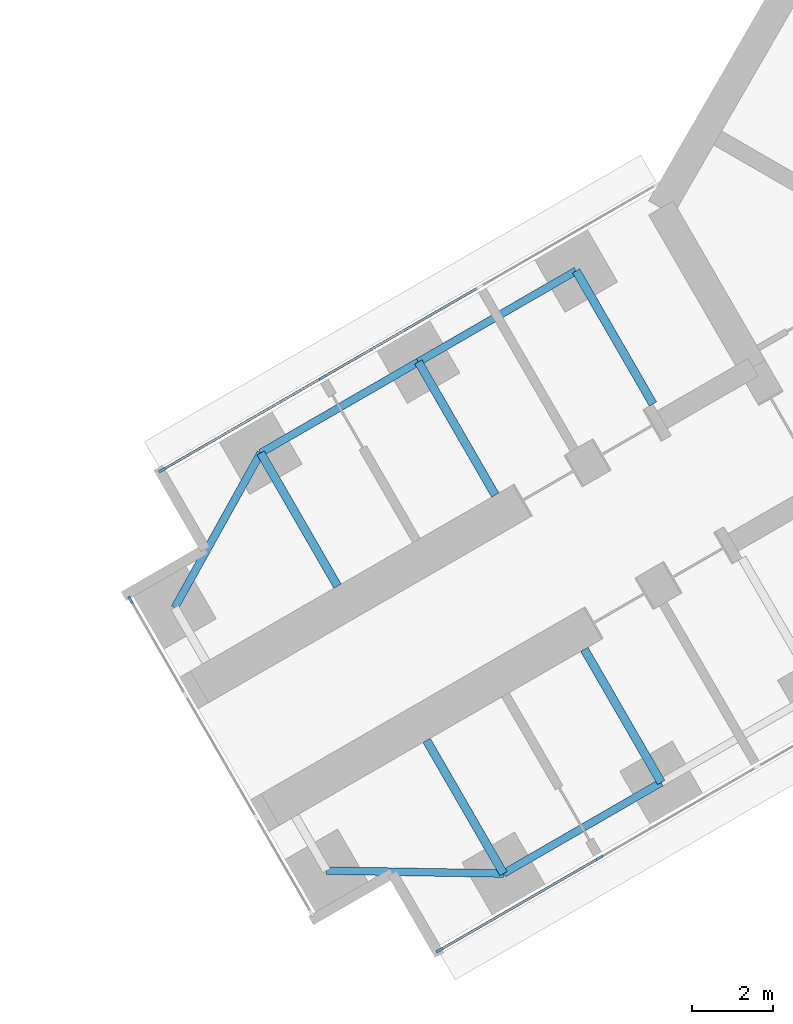
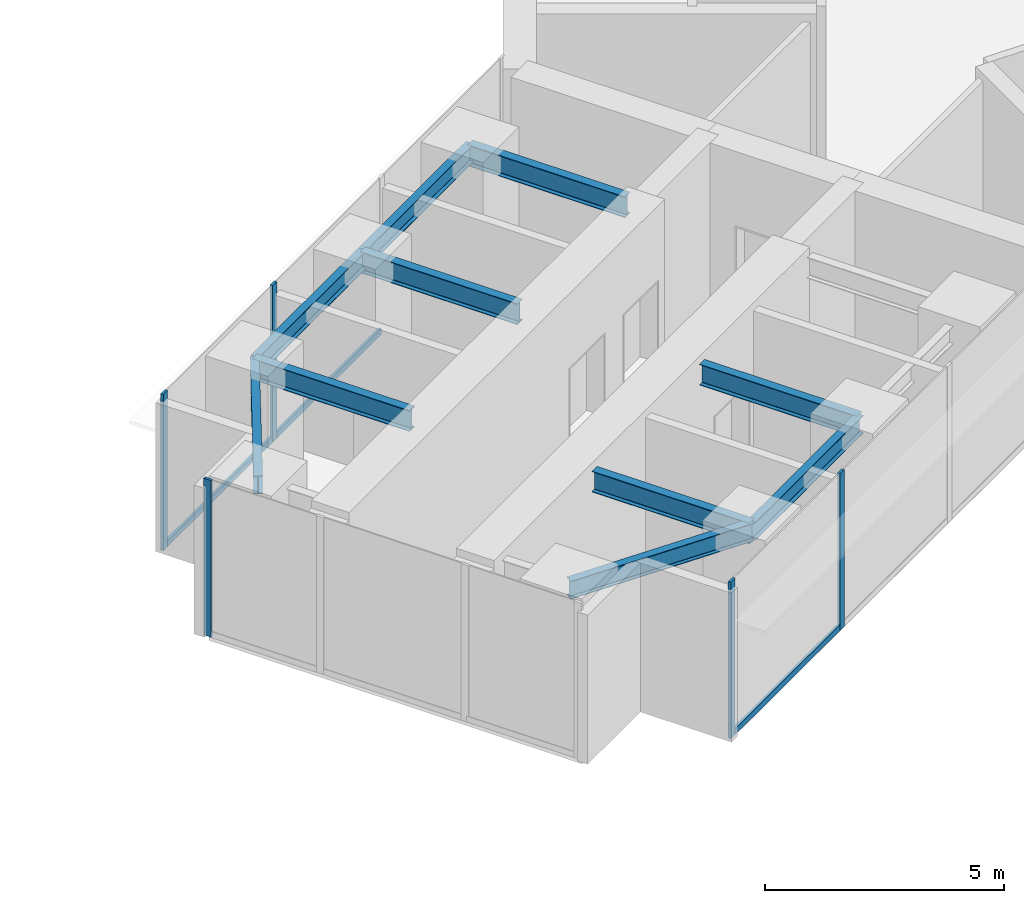
# One storey, part 4 of 22: 10 beams, 8 members, 3 elements without a shape of their own.
"""IFC4 building model written with IfcOpenShell, lengths in metres."""

from ifc_helpers import new_model, si_unit, direction, frame, origin, origin_2d, place, context, subcontext, project, spatial, rectangle, i_section, extrude, material, material_profile, profile_set, type_object, element, aggregate, save


model = new_model("IFC4")

# Units and contexts
model_context = context("Model", 3, precision=1e-05, world=origin(), true_north=direction((0.0, 1.0)))
body_context = subcontext(model_context, "Body", "Model", "MODEL_VIEW")
ifc_project = project(units=[si_unit("LENGTHUNIT", "METRE"), si_unit("AREAUNIT", "SQUARE_METRE"), si_unit("VOLUMEUNIT", "CUBIC_METRE"), si_unit("PLANEANGLEUNIT", "RADIAN"), si_unit("MASSUNIT", "GRAM", prefix="KILO")], contexts=[model_context])

# Site, building, storey
site_placement = place(None, origin())
site = spatial("IfcSite", under=ifc_project, at=site_placement, CompositionType="ELEMENT")
building_placement = place(site_placement, origin())
building = spatial("IfcBuilding", under=site, at=building_placement, Name="Upepo Twin Towers", CompositionType="ELEMENT")
storey_placement = place(building_placement, frame((0.0, 0.0, 40.5)))
storey = spatial("IfcBuildingStorey", under=building, at=storey_placement, Name="L09", CompositionType="ELEMENT", Elevation=40.5)

# Beams
ifc_material_1 = material(Name="Steel S355", Category="steel")
ifc_material_profile_1 = material_profile(ifc_material_1, i_section(OverallWidth=0.1904296875, OverallDepth=0.45703125, WebThickness=0.009033203125, FlangeThickness=0.014404296875, FilletRadius=0.01025390625, at=origin_2d()), Name="UB 457x191x74")
ifc_profile_set_1 = profile_set([ifc_material_profile_1], Name="Steel S355")
beam_type_1 = type_object("IfcBeamType", Name="Beam UB 457x191x74", PredefinedType="BEAM", material=ifc_profile_set_1)
beam_1_placement = place(storey_placement, frame((45.91162109375, -32.196044921875, 3.571533203125), z_axis=(-0.866031096941, -0.499990139034, 0.0), x_axis=(0.499990139034, -0.866031096941, 0.0)))
element("IfcBeam", 1, at=beam_1_placement, inside=storey, type_object=beam_type_1, Name="T2 edge beam BL 18.0-22.5", PredefinedType="BEAM", context=body_context, shape_type="SweptSolid", body=[
    extrude(i_section(OverallWidth=0.1904296875, OverallDepth=0.45703125, WebThickness=0.009033203125, FlangeThickness=0.014404296875, FilletRadius=0.01025390625, at=origin_2d()), origin(), (0.0, 0.0, 1.0), 4.5),
])
beam_2_placement = place(storey_placement, frame((42.014404296875, -34.446044921875, 3.571533203125), z_axis=(-0.999858804832, 0.016803880528, 0.0), x_axis=(-0.016803880528, -0.999858804832, 0.0)))
element("IfcBeam", 2, at=beam_2_placement, inside=storey, type_object=beam_type_1, Name="T2 nose edge beam BL", PredefinedType="BEAM", context=body_context, shape_type="SweptSolid", body=[
    extrude(i_section(OverallWidth=0.1904296875, OverallDepth=0.45703125, WebThickness=0.009033203125, FlangeThickness=0.014404296875, FilletRadius=0.01025390625, at=origin_2d()), origin(), (0.0, 0.0, 1.0), 4.373291015625),
])
beam_3_placement = place(storey_placement, frame((43.80859375, -19.553955078125, 3.571533203125), z_axis=(-0.866017533419, -0.500013631625, 0.0), x_axis=(0.500013631625, -0.866017533419, 0.0)))
element("IfcBeam", 3, at=beam_3_placement, inside=storey, type_object=beam_type_1, Name="T2 edge beam BR 13.5-18.0", PredefinedType="BEAM", context=body_context, shape_type="SweptSolid", body=[
    extrude(i_section(OverallWidth=0.1904296875, OverallDepth=0.45703125, WebThickness=0.009033203125, FlangeThickness=0.014404296875, FilletRadius=0.01025390625, at=origin_2d()), origin(), (0.0, 0.0, 1.0), 4.499755859375),
])
beam_4_placement = place(storey_placement, frame((39.91162109375, -21.803955078125, 3.571533203125), z_axis=(-0.866031096941, -0.499990139034, 0.0), x_axis=(0.499990139034, -0.866031096941, 0.0)))
element("IfcBeam", 4, at=beam_4_placement, inside=storey, type_object=beam_type_1, Name="T2 edge beam BR 18.0-22.5", PredefinedType="BEAM", context=body_context, shape_type="SweptSolid", body=[
    extrude(i_section(OverallWidth=0.1904296875, OverallDepth=0.45703125, WebThickness=0.009033203125, FlangeThickness=0.014404296875, FilletRadius=0.01025390625, at=origin_2d()), origin(), (0.0, 0.0, 1.0), 4.5),
])
beam_5_placement = place(storey_placement, frame((36.014404296875, -24.053955078125, 3.571533203125), z_axis=(-0.485363242752, -0.874312600038, 0.0), x_axis=(0.874312600038, -0.485363242752, 0.0)))
element("IfcBeam", 5, at=beam_5_placement, inside=storey, type_object=beam_type_1, Name="T2 nose edge beam BR", PredefinedType="BEAM", context=body_context, shape_type="SweptSolid", body=[
    extrude(i_section(OverallWidth=0.1904296875, OverallDepth=0.45703125, WebThickness=0.009033203125, FlangeThickness=0.014404296875, FilletRadius=0.01025390625, at=origin_2d()), origin(), (0.0, 0.0, 1.0), 4.373046875),
])
ifc_material_2 = material(Name="Steel S355", Category="steel")
ifc_material_profile_2 = material_profile(ifc_material_2, i_section(OverallWidth=0.209228515625, OverallDepth=0.533203125, WebThickness=0.010009765625, FlangeThickness=0.015625, FilletRadius=0.0126953125, at=origin_2d()), Name="UB 533x210x92")
ifc_profile_set_2 = profile_set([ifc_material_profile_2], Name="Steel S355")
beam_type_2 = type_object("IfcBeamType", Name="Beam UB 533x210x92", PredefinedType="BEAM", material=ifc_profile_set_2)
beam_6_placement = place(storey_placement, frame((45.91162109375, -32.196044921875, 3.533447265625), z_axis=(-0.500043160704, 0.866000483506, 0.0), x_axis=(-0.866000483506, -0.500043160704, 0.0)))
element("IfcBeam", 6, at=beam_6_placement, inside=storey, type_object=beam_type_2, Name="T2 girder BL at 18.0", PredefinedType="BEAM", context=body_context, shape_type="SweptSolid", body=[
    extrude(i_section(OverallWidth=0.209228515625, OverallDepth=0.533203125, WebThickness=0.010009765625, FlangeThickness=0.015625, FilletRadius=0.0126953125, at=origin_2d()), origin(), (0.0, 0.0, 1.0), 3.800048828125),
])
beam_7_placement = place(storey_placement, frame((42.014404296875, -34.446044921875, 3.533447265625), z_axis=(-0.499994975061, 0.866028304915, 0.0), x_axis=(-0.866028304915, -0.499994975061, 0.0)))
element("IfcBeam", 7, at=beam_7_placement, inside=storey, type_object=beam_type_2, Name="T2 girder BL at 22.5", PredefinedType="BEAM", context=body_context, shape_type="SweptSolid", body=[
    extrude(i_section(OverallWidth=0.209228515625, OverallDepth=0.533203125, WebThickness=0.010009765625, FlangeThickness=0.015625, FilletRadius=0.0126953125, at=origin_2d()), origin(), (0.0, 0.0, 1.0), 3.7998046875),
])
beam_8_placement = place(storey_placement, frame((43.80859375, -19.553955078125, 3.533447265625), z_axis=(0.500043160704, -0.866000483506, 0.0), x_axis=(0.866000483506, 0.500043160704, 0.0)))
element("IfcBeam", 8, at=beam_8_placement, inside=storey, type_object=beam_type_2, Name="T2 girder BR at 13.5", PredefinedType="BEAM", context=body_context, shape_type="SweptSolid", body=[
    extrude(i_section(OverallWidth=0.209228515625, OverallDepth=0.533203125, WebThickness=0.010009765625, FlangeThickness=0.015625, FilletRadius=0.0126953125, at=origin_2d()), origin(), (0.0, 0.0, 1.0), 3.800048828125),
])
for number, where, z_axis, x_axis, name in (
    (9, (39.91162109375, -21.803955078125, 3.533447265625), (0.499994975061, -0.866028304915, 0.0), (0.866028304915, 0.499994975061, 0.0), "T2 girder BR at 18.0"),
    (10, (36.014404296875, -24.053955078125, 3.533447265625), (0.499994975061, -0.866028304915, 0.0), (0.866028304915, 0.499994975061, 0.0), "T2 girder BR at 22.5"),
):
    element("IfcBeam", number, at=place(storey_placement, frame(where, z_axis=z_axis, x_axis=x_axis)), inside=storey, type_object=beam_type_2, Name=name, PredefinedType="BEAM", context=body_context, shape_type="SweptSolid", body=[
        extrude(i_section(OverallWidth=0.209228515625, OverallDepth=0.533203125, WebThickness=0.010009765625, FlangeThickness=0.015625, FilletRadius=0.0126953125, at=origin_2d()), origin(), (0.0, 0.0, 1.0), 3.7998046875),
    ])

# Curtain wall, members
ifc_material_3 = material(Name="Aluminium and fritted glass", Category="aluminium")
curtain_wall_type = type_object("IfcCurtainWallType", Name="Tower curtain wall TW1, fritted glass", PredefinedType="NOTDEFINED", material=ifc_material_3)
curtain_wall_1_placement = place(storey_placement, origin())
curtain_wall_1 = element("IfcCurtainWall", 11, at=curtain_wall_1_placement, inside=storey, type_object=curtain_wall_type, Name="T2 L09 wing B flank L curtain wall", PredefinedType="NOTDEFINED")
ifc_material_4 = material(Name="Aluminium mullion", Category="aluminium")
ifc_material_profile_3 = material_profile(ifc_material_4, rectangle(XDim=0.06494140625, YDim=0.179931640625, at=origin_2d()), Name="MULLION 65x180")
ifc_profile_set_3 = profile_set([ifc_material_profile_3], Name="Aluminium mullion")
member_type_1 = type_object("IfcMemberType", Name="Mullion 65x180 TW1", PredefinedType="MULLION", material=ifc_profile_set_3)
member_1_placement = place(storey_placement, frame((44.387939453125, -34.057373046875, 0.0), z_axis=(0.0, 0.0, 1.0), x_axis=(0.500000024426, -0.866025389682, 0.0)))
member_1 = element("IfcMember", 12, at=member_1_placement, type_object=member_type_1, Name="T2 L09 wing B flank L curtain wall mullion 3", PredefinedType="MULLION", context=body_context, shape_type="SweptSolid", body=[
    extrude(rectangle(XDim=0.06494140625, YDim=0.179931640625, at=origin_2d()), origin(), (0.0, 0.0, 1.0), 4.0),
])
member_2_placement = place(storey_placement, frame((40.432373046875, -36.341064453125, 0.0), z_axis=(0.0, 0.0, 1.0), x_axis=(0.500000024426, -0.866025389682, 0.0)))
member_2 = element("IfcMember", 13, at=member_2_placement, type_object=member_type_1, Name="T2 L09 wing B flank L curtain wall mullion 4", PredefinedType="MULLION", context=body_context, shape_type="SweptSolid", body=[
    extrude(rectangle(XDim=0.06494140625, YDim=0.179931640625, at=origin_2d()), origin(), (0.0, 0.0, 1.0), 4.0),
])

curtain_wall_2_placement = place(storey_placement, origin())
curtain_wall_2 = element("IfcCurtainWall", 14, at=curtain_wall_2_placement, inside=storey, type_object=curtain_wall_type, Name="T2 L09 wing B flank R curtain wall", PredefinedType="NOTDEFINED")
member_3_placement = place(storey_placement, frame((33.58251953125, -24.4765625, 0.0), z_axis=(0.0, 0.0, 1.0), x_axis=(-0.500000024426, 0.866025389682, 0.0)))
member_3 = element("IfcMember", 15, at=member_3_placement, type_object=member_type_1, Name="T2 L09 wing B flank R curtain wall mullion 1", PredefinedType="MULLION", context=body_context, shape_type="SweptSolid", body=[
    extrude(rectangle(XDim=0.06494140625, YDim=0.179931640625, at=origin_2d()), origin(), (0.0, 0.0, 1.0), 4.0),
])
member_4_placement = place(storey_placement, frame((37.5380859375, -22.192626953125, 0.0), z_axis=(0.0, 0.0, 1.0), x_axis=(-0.500000024426, 0.866025389682, 0.0)))
member_4 = element("IfcMember", 16, at=member_4_placement, type_object=member_type_1, Name="T2 L09 wing B flank R curtain wall mullion 2", PredefinedType="MULLION", context=body_context, shape_type="SweptSolid", body=[
    extrude(rectangle(XDim=0.06494140625, YDim=0.179931640625, at=origin_2d()), origin(), (0.0, 0.0, 1.0), 4.0),
])

# Curtain wall, member
curtain_wall_3_placement = place(storey_placement, origin())
curtain_wall_3 = element("IfcCurtainWall", 17, at=curtain_wall_3_placement, inside=storey, type_object=curtain_wall_type, Name="T2 L09 wing B nose curtain wall", PredefinedType="NOTDEFINED")
member_5_placement = place(storey_placement, frame((32.796875, -27.68115234375, 0.0), z_axis=(0.0, 0.0, 1.0), x_axis=(0.866025386174, 0.500000030502, 0.0)))
member_5 = element("IfcMember", 18, at=member_5_placement, type_object=member_type_1, Name="T2 L09 wing B nose curtain wall mullion 1", PredefinedType="MULLION", context=body_context, shape_type="SweptSolid", body=[
    extrude(rectangle(XDim=0.06494140625, YDim=0.179931640625, at=origin_2d()), origin(), (0.0, 0.0, 1.0), 4.0),
])
aggregate(curtain_wall_3, [member_5])

# Member
ifc_material_5 = material(Name="Aluminium transom", Category="aluminium")
ifc_material_profile_4 = material_profile(ifc_material_5, rectangle(XDim=0.06494140625, YDim=0.14990234375, at=origin_2d()), Name="TRANSOM 65x150")
ifc_profile_set_4 = profile_set([ifc_material_profile_4], Name="Aluminium transom")
member_type_2 = type_object("IfcMemberType", Name="Transom 65x150 TW1", PredefinedType="USERDEFINED", material=ifc_profile_set_4)
member_6_placement = place(storey_placement, frame((44.35986328125, -34.073486328125, 0.074951171875), z_axis=(-0.866035699072, -0.499982167615, 0.0), x_axis=(0.499982167615, -0.866035699072, 0.0)))
member_6 = element("IfcMember", 19, at=member_6_placement, type_object=member_type_2, Name="T2 L09 wing B flank L curtain wall transom 3", ObjectType="TRANSOM", PredefinedType="USERDEFINED", context=body_context, shape_type="SweptSolid", body=[
    extrude(rectangle(XDim=0.06494140625, YDim=0.14990234375, at=origin_2d()), origin(), (0.0, 0.0, 1.0), 4.502685546875),
])

aggregate(curtain_wall_1, [member_1, member_2, member_6])

member_7_placement = place(storey_placement, frame((33.610595703125, -24.460205078125, 0.074951171875), z_axis=(0.866022143554, 0.500005646842, 0.0), x_axis=(-0.500005646842, 0.866022143554, 0.0)))
member_7 = element("IfcMember", 20, at=member_7_placement, type_object=member_type_2, Name="T2 L09 wing B flank R curtain wall transom 1", ObjectType="TRANSOM", PredefinedType="USERDEFINED", context=body_context, shape_type="SweptSolid", body=[
    extrude(rectangle(XDim=0.06494140625, YDim=0.14990234375, at=origin_2d()), origin(), (0.0, 0.0, 1.0), 4.50244140625),
])

member_8_placement = place(storey_placement, frame((37.566162109375, -22.176513671875, 0.074951171875), z_axis=(0.866022410713, 0.500005184116, 0.0), x_axis=(-0.500005184116, 0.866022410713, 0.0)))
member_8 = element("IfcMember", 21, at=member_8_placement, type_object=member_type_2, Name="T2 L09 wing B flank R curtain wall transom 2", ObjectType="TRANSOM", PredefinedType="USERDEFINED", context=body_context, shape_type="SweptSolid", body=[
    extrude(rectangle(XDim=0.06494140625, YDim=0.14990234375, at=origin_2d()), origin(), (0.0, 0.0, 1.0), 4.43505859375),
])

aggregate(curtain_wall_2, [member_3, member_4, member_7, member_8])

save(model, "model.ifc")
